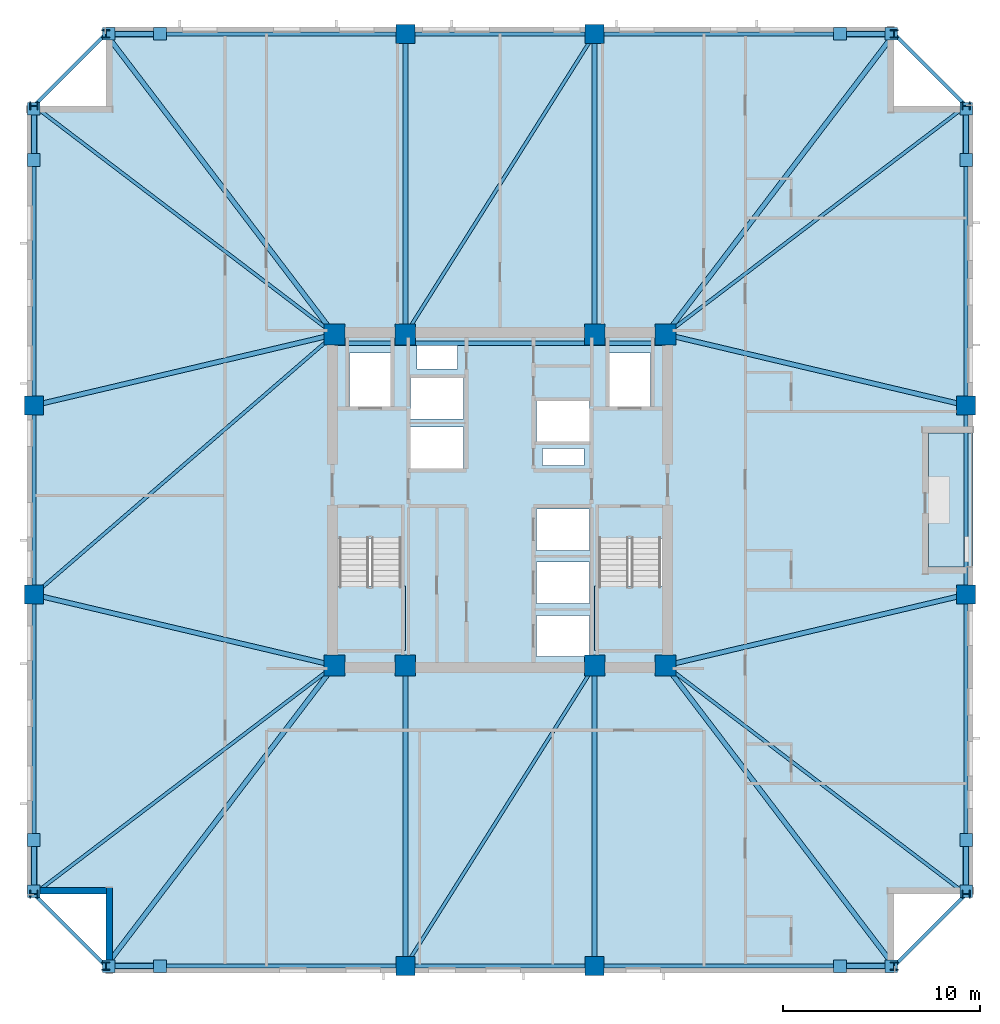
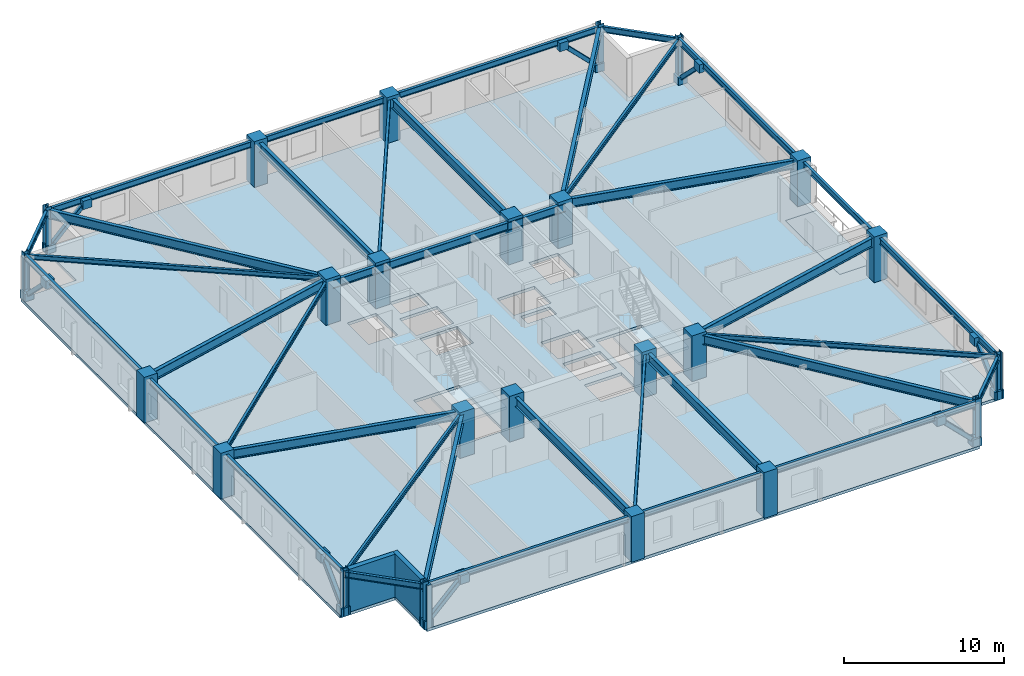
# One storey, part 1 of 10: 38 beams, 24 columns, 16 plates, 8 members, 4 slabs, 2 walls, 2 elements without a shape of their own.
"""IFC4 building model written with IfcOpenShell, lengths in metres."""

from ifc_helpers import new_model, si_unit, direction, frame, frame_2d, origin, origin_2d, place, context, subcontext, project, spatial, polyline, rectangle, hollow_rectangle, i_section, outline, extrude, material, layer, layer_set, material_profile, profile_set, type_object, element, aggregate, save


model = new_model("IFC4")

# Units and contexts
model_context = context("Model", 3, precision=1e-05, world=origin(), true_north=direction((0.0, 1.0)))
body_context = subcontext(model_context, "Body", "Model", "MODEL_VIEW")
ifc_project = project(units=[si_unit("LENGTHUNIT", "METRE"), si_unit("AREAUNIT", "SQUARE_METRE"), si_unit("VOLUMEUNIT", "CUBIC_METRE"), si_unit("PLANEANGLEUNIT", "RADIAN"), si_unit("MASSUNIT", "GRAM", prefix="KILO")], contexts=[model_context])

# Site, building, storey
site_placement = place(None, origin())
site = spatial("IfcSite", under=ifc_project, at=site_placement, CompositionType="ELEMENT")
building_placement = place(site_placement, origin())
building = spatial("IfcBuilding", under=site, at=building_placement, Name="Cairnveth Concourse Tower", CompositionType="ELEMENT")
storey_placement = place(building_placement, frame((0.0, 0.0, 186.5)))
storey = spatial("IfcBuildingStorey", under=building, at=storey_placement, Name="L51", CompositionType="ELEMENT", Elevation=186.5)

# Columns
ifc_material_1 = material(Name="Concrete N65 (65 MPa)", Category="concrete")
ifc_material_profile_1 = material_profile(ifc_material_1, rectangle(XDim=1.050048828125, YDim=1.050048828125, at=origin_2d()), Name="RC-COL-1050x1050")
ifc_profile_set_1 = profile_set([ifc_material_profile_1], Name="Concrete N65 (65 MPa)")
column_type_1 = type_object("IfcColumnType", Name="CORE COLUMN 1050X1050", PredefinedType="COLUMN", material=ifc_profile_set_1)
for number, where, z_axis, x_axis, name in (
    (1, (43.60009765625, 30.60009765625, 0.0), (0.0, 0.0, 1.0), (1.0, 0.0, 0.0), "Column CC1 L51"),
    (2, (47.199951171875, 30.60009765625, 0.0), (0.0, 0.0, 1.0), (1.0, 0.0, 0.0), "Column CC2 L51"),
    (3, (56.800048828125, 30.60009765625, 0.0), (0.0, 0.0, 1.0), (1.0, 0.0, 0.0), "Column CC3 L51"),
    (4, (60.39990234375, 30.60009765625, 0.0), (0.0, 0.0, 1.0), (1.0, 0.0, 0.0), "Column CC4 L51"),
    (5, (43.60009765625, 47.39990234375, 0.0), (0.0, 0.0, 1.0), (1.0, 0.0, 0.0), "Column CC5 L51"),
    (6, (47.199951171875, 47.39990234375, 0.0), (0.0, 0.0, 1.0), (1.0, 0.0, 0.0), "Column CC6 L51"),
    (7, (56.800048828125, 47.39990234375, 0.0), (0.0, 0.0, 1.0), (1.0, 0.0, 0.0), "Column CC7 L51"),
    (8, (60.39990234375, 47.39990234375, 0.0), (0.0, 0.0, 1.0), (1.0, 0.0, 0.0), "Column CC8 L51"),
):
    element("IfcColumn", number, at=place(storey_placement, frame(where, z_axis=z_axis, x_axis=x_axis)), inside=storey, type_object=column_type_1, Name=name, PredefinedType="COLUMN", context=body_context, shape_type="SweptSolid", body=[
        extrude(rectangle(XDim=1.050048828125, YDim=1.050048828125, at=origin_2d()), origin(), (0.0, 0.0, 1.0), 3.5),
    ])
ifc_material_profile_2 = material_profile(ifc_material_1, rectangle(XDim=0.949951171875, YDim=0.949951171875, at=origin_2d()), Name="RC-COL-950x950")
ifc_profile_set_2 = profile_set([ifc_material_profile_2], Name="Concrete N65 (65 MPa)")
column_type_2 = type_object("IfcColumnType", Name="PERIMETER PIER COLUMN 950X950", PredefinedType="COLUMN", material=ifc_profile_set_2)
for number, where, z_axis, x_axis, name in (
    (9, (47.199951171875, 15.35009765625, 0.0), (0.0, 0.0, 1.0), (1.0, 0.0, 0.0), "Column P-S2 L51"),
    (10, (56.800048828125, 15.35009765625, 0.0), (0.0, 0.0, 1.0), (1.0, 0.0, 0.0), "Column P-S3 L51"),
    (11, (75.64990234375, 34.199951171875, 0.0), (0.0, 0.0, 1.0), (0.0, 1.0, 0.0), "Column P-E2 L51"),
    (12, (75.64990234375, 43.800048828125, 0.0), (0.0, 0.0, 1.0), (0.0, 1.0, 0.0), "Column P-E3 L51"),
    (13, (56.800048828125, 62.64990234375, 0.0), (0.0, 0.0, 1.0), (1.0, 0.0, 0.0), "Column P-N2 L51"),
    (14, (47.199951171875, 62.64990234375, 0.0), (0.0, 0.0, 1.0), (1.0, 0.0, 0.0), "Column P-N3 L51"),
    (15, (28.35009765625, 43.800048828125, 0.0), (0.0, 0.0, 1.0), (0.0, 1.0, 0.0), "Column P-W2 L51"),
    (16, (28.35009765625, 34.199951171875, 0.0), (0.0, 0.0, 1.0), (0.0, 1.0, 0.0), "Column P-W3 L51"),
):
    element("IfcColumn", number, at=place(storey_placement, frame(where, z_axis=z_axis, x_axis=x_axis)), inside=storey, type_object=column_type_2, Name=name, PredefinedType="COLUMN", context=body_context, shape_type="SweptSolid", body=[
        extrude(rectangle(XDim=0.949951171875, YDim=0.949951171875, at=origin_2d()), origin(), (0.0, 0.0, 1.0), 3.5),
    ])
ifc_material_2 = material(Name="Steel Grade 350", Category="steel")
ifc_material_profile_3 = material_profile(ifc_material_2, i_section(OverallWidth=0.39990234375, OverallDepth=0.39990234375, WebThickness=0.02197265625, FlangeThickness=0.035888671875, at=origin_2d()), Name="400WC270")
ifc_profile_set_3 = profile_set([ifc_material_profile_3], Name="Steel Grade 350")
column_type_3 = type_object("IfcColumnType", Name="WELDED STEEL COLUMN 400WC270", PredefinedType="COLUMN", material=ifc_profile_set_3)
for number, where, z_axis, x_axis, name in (
    (17, (32.0, 15.35009765625, 0.0), (0.0, 0.0, 1.0), (1.0, 0.0, 0.0), "Column P-S1 L51"),
    (18, (72.0, 15.35009765625, 0.0), (0.0, 0.0, 1.0), (1.0, 0.0, 0.0), "Column P-S4 L51"),
    (19, (75.64990234375, 19.0, 0.0), (0.0, 0.0, 1.0), (0.0, 1.0, 0.0), "Column P-E1 L51"),
    (20, (75.64990234375, 59.0, 0.0), (0.0, 0.0, 1.0), (0.0, 1.0, 0.0), "Column P-E4 L51"),
    (21, (72.0, 62.64990234375, 0.0), (0.0, 0.0, 1.0), (1.0, 0.0, 0.0), "Column P-N1 L51"),
    (22, (32.0, 62.64990234375, 0.0), (0.0, 0.0, 1.0), (1.0, 0.0, 0.0), "Column P-N4 L51"),
    (23, (28.35009765625, 59.0, 0.0), (0.0, 0.0, 1.0), (0.0, 1.0, 0.0), "Column P-W1 L51"),
    (24, (28.35009765625, 19.0, 0.0), (0.0, 0.0, 1.0), (0.0, 1.0, 0.0), "Column P-W4 L51"),
):
    element("IfcColumn", number, at=place(storey_placement, frame(where, z_axis=z_axis, x_axis=x_axis)), inside=storey, type_object=column_type_3, Name=name, PredefinedType="COLUMN", context=body_context, shape_type="SweptSolid", body=[
        extrude(i_section(OverallWidth=0.39990234375, OverallDepth=0.39990234375, WebThickness=0.02197265625, FlangeThickness=0.035888671875, at=origin_2d()), origin(), (0.0, 0.0, 1.0), 3.5),
    ])

# Beams
ifc_material_profile_4 = material_profile(ifc_material_2, i_section(OverallWidth=0.22802734375, OverallDepth=0.60693359375, WebThickness=0.01123046875, FlangeThickness=0.017333984375, FilletRadius=0.013916015625, at=origin_2d()), Name="610UB113")
ifc_profile_set_4 = profile_set([ifc_material_profile_4], Name="Steel Grade 350")
beam_type_1 = type_object("IfcBeamType", Name="CORE TIE BEAM 610UB113", PredefinedType="T_BEAM", material=ifc_profile_set_4)
for number, where, z_axis, x_axis, name in (
    (25, (43.60009765625, 46.949951171875, 2.9765625), (1.0, 0.0, 0.0), (0.0, 1.0, 0.0), "Beam CT-N1 L51"),
    (26, (56.800048828125, 46.949951171875, 2.9765625), (1.0, 0.0, 0.0), (0.0, 1.0, 0.0), "Beam CT-N3 L51"),
):
    element("IfcBeam", number, at=place(storey_placement, frame(where, z_axis=z_axis, x_axis=x_axis)), inside=storey, type_object=beam_type_1, Name=name, PredefinedType="T_BEAM", context=body_context, shape_type="SweptSolid", body=[
        extrude(i_section(OverallWidth=0.22802734375, OverallDepth=0.60693359375, WebThickness=0.01123046875, FlangeThickness=0.017333984375, FilletRadius=0.013916015625, at=origin_2d()), origin(), (0.0, 0.0, 1.0), 3.599853515625),
    ])
beam_1_placement = place(storey_placement, frame((47.199951171875, 46.949951171875, 2.9765625), z_axis=(1.0, 0.0, 0.0), x_axis=(0.0, 1.0, 0.0)))
element("IfcBeam", 27, at=beam_1_placement, inside=storey, type_object=beam_type_1, Name="Beam CT-N2 L51", PredefinedType="T_BEAM", context=body_context, shape_type="SweptSolid", body=[
    extrude(i_section(OverallWidth=0.22802734375, OverallDepth=0.60693359375, WebThickness=0.01123046875, FlangeThickness=0.017333984375, FilletRadius=0.013916015625, at=origin_2d()), origin(), (0.0, 0.0, 1.0), 9.60009765625),
])
ifc_material_profile_5 = material_profile(ifc_material_2, i_section(OverallWidth=0.172119140625, OverallDepth=0.35888671875, WebThickness=0.008056640625, FlangeThickness=0.012939453125, FilletRadius=0.010986328125, at=origin_2d()), Name="360UB56.7")
ifc_profile_set_5 = profile_set([ifc_material_profile_5], Name="Steel Grade 350")
beam_type_2 = type_object("IfcBeamType", Name="ZONE 2 FLOOR JOIST 360UB56.7", PredefinedType="JOIST", material=ifc_profile_set_5)
for number, where, z_axis, x_axis, name in (
    (28, (28.35009765625, 19.0, 3.1005859375), (0.795908242904, 0.6054172684, 0.0), (-0.6054172684, 0.795908242904, 0.0), "Beam FJ-CSW2 L51"),
    (29, (75.64990234375, 19.0, 3.1005859375), (-0.795908242904, 0.6054172684, 0.0), (-0.6054172684, -0.795908242904, 0.0), "Beam FJ-CSE2 L51"),
    (30, (75.64990234375, 59.0, 3.1005859375), (-0.795908242904, -0.6054172684, 0.0), (0.6054172684, -0.795908242904, 0.0), "Beam FJ-CNE2 L51"),
    (31, (28.35009765625, 59.0, 3.1005859375), (0.795908242904, -0.6054172684, 0.0), (0.6054172684, 0.795908242904, 0.0), "Beam FJ-CNW2 L51"),
):
    element("IfcBeam", number, at=place(storey_placement, frame(where, z_axis=z_axis, x_axis=x_axis)), inside=storey, type_object=beam_type_2, Name=name, PredefinedType="JOIST", context=body_context, shape_type="SweptSolid", body=[
        extrude(i_section(OverallWidth=0.172119140625, OverallDepth=0.35888671875, WebThickness=0.008056640625, FlangeThickness=0.012939453125, FilletRadius=0.010986328125, at=origin_2d()), origin(), (0.0, 0.0, 1.0), 19.160400390625),
    ])
for number, where, z_axis, x_axis, name in (
    (32, (47.199951171875, 15.35009765625, 3.1005859375), (0.532743557037, 0.84627672923, 0.0), (-0.84627672923, 0.532743557037, 0.0), "Beam FJ-S-M1 L51"),
    (33, (47.199951171875, 47.39990234375, 3.1005859375), (0.532743557037, 0.84627672923, 0.0), (-0.84627672923, 0.532743557037, 0.0), "Beam FJ-N-M1 L51"),
):
    element("IfcBeam", number, at=place(storey_placement, frame(where, z_axis=z_axis, x_axis=x_axis)), inside=storey, type_object=beam_type_2, Name=name, PredefinedType="JOIST", context=body_context, shape_type="SweptSolid", body=[
        extrude(i_section(OverallWidth=0.172119140625, OverallDepth=0.35888671875, WebThickness=0.008056640625, FlangeThickness=0.012939453125, FilletRadius=0.010986328125, at=origin_2d()), origin(), (0.0, 0.0, 1.0), 18.02001953125),
    ])
beam_2_placement = place(storey_placement, frame((28.35009765625, 34.199951171875, 3.1005859375), z_axis=(0.756099107057, 0.654457134049, 0.0), x_axis=(-0.654457134049, 0.756099107057, 0.0)))
element("IfcBeam", 34, at=beam_2_placement, inside=storey, type_object=beam_type_2, Name="Beam FJ-W-M1 L51", PredefinedType="JOIST", context=body_context, shape_type="SweptSolid", body=[
    extrude(i_section(OverallWidth=0.172119140625, OverallDepth=0.35888671875, WebThickness=0.008056640625, FlangeThickness=0.012939453125, FilletRadius=0.010986328125, at=origin_2d()), origin(), (0.0, 0.0, 1.0), 20.16943359375),
])

# Members
ifc_material_3 = material(Name="Steel C350L0 (350 MPa)", Category="steel")
ifc_material_profile_6 = material_profile(ifc_material_3, hollow_rectangle(XDim=0.300048828125, YDim=0.300048828125, WallThickness=0.01611328125, InnerFilletRadius=0.01611328125, OuterFilletRadius=0.031982421875, at=origin_2d()), Name="300x300x16.0SHS")
ifc_profile_set_6 = profile_set([ifc_material_profile_6], Name="Steel C350L0 (350 MPa)")
member_type = type_object("IfcMemberType", Name="ZONE 2 PIER BRACE 300X300X16SHS", PredefinedType="BRACE", material=ifc_profile_set_6)
for number, where, z_axis, x_axis, name in (
    (35, (32.14990234375, 15.35009765625, 0.25), (0.709834195787, 0.0, 0.704368805735), (0.0, 1.0, 0.0), "Structural Brace PB-S1 L51"),
    (36, (71.85009765625, 15.35009765625, 0.25), (-0.709834195787, 0.0, 0.704368805735), (0.0, -1.0, 0.0), "Structural Brace PB-S2 L51"),
    (37, (32.14990234375, 62.64990234375, 0.25), (0.709834195787, 0.0, 0.704368805735), (0.0, 1.0, 0.0), "Structural Brace PB-N1 L51"),
    (38, (71.85009765625, 62.64990234375, 0.25), (-0.709834195787, 0.0, 0.704368805735), (0.0, -1.0, 0.0), "Structural Brace PB-N2 L51"),
    (39, (28.35009765625, 19.14990234375, 0.25), (0.0, 0.709834195787, 0.704368805735), (-1.0, 0.0, 0.0), "Structural Brace PB-W1 L51"),
    (40, (28.35009765625, 58.85009765625, 0.25), (0.0, -0.709834195787, 0.704368805735), (1.0, 0.0, 0.0), "Structural Brace PB-W2 L51"),
    (41, (75.64990234375, 19.14990234375, 0.25), (0.0, 0.709834195787, 0.704368805735), (-1.0, 0.0, 0.0), "Structural Brace PB-E1 L51"),
    (42, (75.64990234375, 58.85009765625, 0.25), (0.0, -0.709834195787, 0.704368805735), (1.0, 0.0, 0.0), "Structural Brace PB-E2 L51"),
):
    element("IfcMember", number, at=place(storey_placement, frame(where, z_axis=z_axis, x_axis=x_axis)), inside=storey, type_object=member_type, Name=name, PredefinedType="BRACE", context=body_context, shape_type="SweptSolid", body=[
        extrude(hollow_rectangle(XDim=0.300048828125, YDim=0.300048828125, WallThickness=0.01611328125, InnerFilletRadius=0.01611328125, OuterFilletRadius=0.031982421875, at=origin_2d()), origin(), (0.0, 0.0, 1.0), 3.6630859375),
    ])

# Beams
ifc_material_profile_7 = material_profile(ifc_material_2, i_section(OverallWidth=0.25, OverallDepth=0.699951171875, WebThickness=0.011962890625, FlangeThickness=0.028076171875, at=origin_2d()), Name="700WB173")
ifc_profile_set_7 = profile_set([ifc_material_profile_7], Name="Steel Grade 350")
beam_type_3 = type_object("IfcBeamType", Name="ZONE 2 RADIAL GIRDER 700WB173", PredefinedType="BEAM", material=ifc_profile_set_7)
for number, where, z_axis, x_axis, name in (
    (43, (47.199951171875, 15.35009765625, 2.929931640625), (0.0, 1.0, 0.0), (-1.0, 0.0, 0.0), "Beam RG-S1 L51"),
    (44, (56.800048828125, 15.35009765625, 2.929931640625), (0.0, 1.0, 0.0), (-1.0, 0.0, 0.0), "Beam RG-S2 L51"),
    (45, (47.199951171875, 47.39990234375, 2.929931640625), (0.0, 1.0, 0.0), (-1.0, 0.0, 0.0), "Beam RG-N1 L51"),
    (46, (56.800048828125, 47.39990234375, 2.929931640625), (0.0, 1.0, 0.0), (-1.0, 0.0, 0.0), "Beam RG-N2 L51"),
):
    element("IfcBeam", number, at=place(storey_placement, frame(where, z_axis=z_axis, x_axis=x_axis)), inside=storey, type_object=beam_type_3, Name=name, PredefinedType="BEAM", context=body_context, shape_type="SweptSolid", body=[
        extrude(i_section(OverallWidth=0.25, OverallDepth=0.699951171875, WebThickness=0.011962890625, FlangeThickness=0.028076171875, at=origin_2d()), origin(), (0.0, 0.0, 1.0), 15.25),
    ])
for number, where, z_axis, x_axis, name in (
    (47, (28.35009765625, 34.199951171875, 2.929931640625), (0.973251602929, -0.229741849468, 0.0), (0.229741849468, 0.973251602929, 0.0), "Beam RG-W1 L51"),
    (48, (28.35009765625, 43.800048828125, 2.929931640625), (0.973251602929, 0.229741849468, 0.0), (-0.229741849468, 0.973251602929, 0.0), "Beam RG-W2 L51"),
    (49, (60.39990234375, 30.60009765625, 2.929931640625), (0.973251602929, 0.229741849468, 0.0), (-0.229741849468, 0.973251602929, 0.0), "Beam RG-E1 L51"),
    (50, (60.39990234375, 47.39990234375, 2.929931640625), (0.973251602929, -0.229741849468, 0.0), (0.229741849468, 0.973251602929, 0.0), "Beam RG-E2 L51"),
):
    element("IfcBeam", number, at=place(storey_placement, frame(where, z_axis=z_axis, x_axis=x_axis)), inside=storey, type_object=beam_type_3, Name=name, PredefinedType="BEAM", context=body_context, shape_type="SweptSolid", body=[
        extrude(i_section(OverallWidth=0.25, OverallDepth=0.699951171875, WebThickness=0.011962890625, FlangeThickness=0.028076171875, at=origin_2d()), origin(), (0.0, 0.0, 1.0), 15.669189453125),
    ])
for number, where, z_axis, x_axis, name in (
    (51, (32.0, 15.35009765625, 2.929931640625), (0.6054172684, 0.795908242904, 0.0), (-0.795908242904, 0.6054172684, 0.0), "Beam RG-CSW L51"),
    (52, (72.0, 15.35009765625, 2.929931640625), (-0.6054172684, 0.795908242904, 0.0), (-0.795908242904, -0.6054172684, 0.0), "Beam RG-CSE L51"),
    (53, (72.0, 62.64990234375, 2.929931640625), (-0.6054172684, -0.795908242904, 0.0), (0.795908242904, -0.6054172684, 0.0), "Beam RG-CNE L51"),
    (54, (32.0, 62.64990234375, 2.929931640625), (0.6054172684, -0.795908242904, 0.0), (0.795908242904, 0.6054172684, 0.0), "Beam RG-CNW L51"),
):
    element("IfcBeam", number, at=place(storey_placement, frame(where, z_axis=z_axis, x_axis=x_axis)), inside=storey, type_object=beam_type_3, Name=name, PredefinedType="BEAM", context=body_context, shape_type="SweptSolid", body=[
        extrude(i_section(OverallWidth=0.25, OverallDepth=0.699951171875, WebThickness=0.011962890625, FlangeThickness=0.028076171875, at=origin_2d()), origin(), (0.0, 0.0, 1.0), 19.160400390625),
    ])
ifc_material_profile_8 = material_profile(ifc_material_2, i_section(OverallWidth=0.18994140625, OverallDepth=0.45703125, WebThickness=0.009033203125, FlangeThickness=0.014404296875, FilletRadius=0.010986328125, at=origin_2d()), Name="460UB74.6")
ifc_profile_set_8 = profile_set([ifc_material_profile_8], Name="Steel Grade 350")
beam_type_4 = type_object("IfcBeamType", Name="ZONE 2 SPANDREL BEAM 460UB74.6", PredefinedType="SPANDREL", material=ifc_profile_set_8)
beam_3_placement = place(storey_placement, frame((32.0, 15.35009765625, 3.051513671875), z_axis=(1.0, 0.0, 0.0), x_axis=(0.0, 1.0, 0.0)))
element("IfcBeam", 55, at=beam_3_placement, inside=storey, type_object=beam_type_4, Name="Beam SP-S1 L51", PredefinedType="SPANDREL", context=body_context, shape_type="SweptSolid", body=[
    extrude(i_section(OverallWidth=0.18994140625, OverallDepth=0.45703125, WebThickness=0.009033203125, FlangeThickness=0.014404296875, FilletRadius=0.010986328125, at=origin_2d()), origin(), (0.0, 0.0, 1.0), 15.199951171875),
])
beam_4_placement = place(storey_placement, frame((47.199951171875, 15.35009765625, 3.051513671875), z_axis=(1.0, 0.0, 0.0), x_axis=(0.0, 1.0, 0.0)))
element("IfcBeam", 56, at=beam_4_placement, inside=storey, type_object=beam_type_4, Name="Beam SP-S2 L51", PredefinedType="SPANDREL", context=body_context, shape_type="SweptSolid", body=[
    extrude(i_section(OverallWidth=0.18994140625, OverallDepth=0.45703125, WebThickness=0.009033203125, FlangeThickness=0.014404296875, FilletRadius=0.010986328125, at=origin_2d()), origin(), (0.0, 0.0, 1.0), 9.60009765625),
])
for number, where, z_axis, x_axis, name in (
    (57, (56.800048828125, 15.35009765625, 3.051513671875), (1.0, 0.0, 0.0), (0.0, 1.0, 0.0), "Beam SP-S3 L51"),
    (58, (32.0, 62.64990234375, 3.051513671875), (1.0, 0.0, 0.0), (0.0, 1.0, 0.0), "Beam SP-N1 L51"),
):
    element("IfcBeam", number, at=place(storey_placement, frame(where, z_axis=z_axis, x_axis=x_axis)), inside=storey, type_object=beam_type_4, Name=name, PredefinedType="SPANDREL", context=body_context, shape_type="SweptSolid", body=[
        extrude(i_section(OverallWidth=0.18994140625, OverallDepth=0.45703125, WebThickness=0.009033203125, FlangeThickness=0.014404296875, FilletRadius=0.010986328125, at=origin_2d()), origin(), (0.0, 0.0, 1.0), 15.199951171875),
    ])
beam_5_placement = place(storey_placement, frame((47.199951171875, 62.64990234375, 3.051513671875), z_axis=(1.0, 0.0, 0.0), x_axis=(0.0, 1.0, 0.0)))
element("IfcBeam", 59, at=beam_5_placement, inside=storey, type_object=beam_type_4, Name="Beam SP-N2 L51", PredefinedType="SPANDREL", context=body_context, shape_type="SweptSolid", body=[
    extrude(i_section(OverallWidth=0.18994140625, OverallDepth=0.45703125, WebThickness=0.009033203125, FlangeThickness=0.014404296875, FilletRadius=0.010986328125, at=origin_2d()), origin(), (0.0, 0.0, 1.0), 9.60009765625),
])
for number, where, z_axis, x_axis, name in (
    (60, (56.800048828125, 62.64990234375, 3.051513671875), (1.0, 0.0, 0.0), (0.0, 1.0, 0.0), "Beam SP-N3 L51"),
    (61, (28.35009765625, 19.0, 3.051513671875), (0.0, 1.0, 0.0), (-1.0, 0.0, 0.0), "Beam SP-W1 L51"),
):
    element("IfcBeam", number, at=place(storey_placement, frame(where, z_axis=z_axis, x_axis=x_axis)), inside=storey, type_object=beam_type_4, Name=name, PredefinedType="SPANDREL", context=body_context, shape_type="SweptSolid", body=[
        extrude(i_section(OverallWidth=0.18994140625, OverallDepth=0.45703125, WebThickness=0.009033203125, FlangeThickness=0.014404296875, FilletRadius=0.010986328125, at=origin_2d()), origin(), (0.0, 0.0, 1.0), 15.199951171875),
    ])
beam_6_placement = place(storey_placement, frame((28.35009765625, 34.199951171875, 3.051513671875), z_axis=(0.0, 1.0, 0.0), x_axis=(-1.0, 0.0, 0.0)))
element("IfcBeam", 62, at=beam_6_placement, inside=storey, type_object=beam_type_4, Name="Beam SP-W2 L51", PredefinedType="SPANDREL", context=body_context, shape_type="SweptSolid", body=[
    extrude(i_section(OverallWidth=0.18994140625, OverallDepth=0.45703125, WebThickness=0.009033203125, FlangeThickness=0.014404296875, FilletRadius=0.010986328125, at=origin_2d()), origin(), (0.0, 0.0, 1.0), 9.60009765625),
])
for number, where, z_axis, x_axis, name in (
    (63, (28.35009765625, 43.800048828125, 3.051513671875), (0.0, 1.0, 0.0), (-1.0, 0.0, 0.0), "Beam SP-W3 L51"),
    (64, (75.64990234375, 19.0, 3.051513671875), (0.0, 1.0, 0.0), (-1.0, 0.0, 0.0), "Beam SP-E1 L51"),
):
    element("IfcBeam", number, at=place(storey_placement, frame(where, z_axis=z_axis, x_axis=x_axis)), inside=storey, type_object=beam_type_4, Name=name, PredefinedType="SPANDREL", context=body_context, shape_type="SweptSolid", body=[
        extrude(i_section(OverallWidth=0.18994140625, OverallDepth=0.45703125, WebThickness=0.009033203125, FlangeThickness=0.014404296875, FilletRadius=0.010986328125, at=origin_2d()), origin(), (0.0, 0.0, 1.0), 15.199951171875),
    ])
beam_7_placement = place(storey_placement, frame((75.64990234375, 34.199951171875, 3.051513671875), z_axis=(0.0, 1.0, 0.0), x_axis=(-1.0, 0.0, 0.0)))
element("IfcBeam", 65, at=beam_7_placement, inside=storey, type_object=beam_type_4, Name="Beam SP-E2 L51", PredefinedType="SPANDREL", context=body_context, shape_type="SweptSolid", body=[
    extrude(i_section(OverallWidth=0.18994140625, OverallDepth=0.45703125, WebThickness=0.009033203125, FlangeThickness=0.014404296875, FilletRadius=0.010986328125, at=origin_2d()), origin(), (0.0, 0.0, 1.0), 9.60009765625),
])
beam_8_placement = place(storey_placement, frame((75.64990234375, 43.800048828125, 3.051513671875), z_axis=(0.0, 1.0, 0.0), x_axis=(-1.0, 0.0, 0.0)))
element("IfcBeam", 66, at=beam_8_placement, inside=storey, type_object=beam_type_4, Name="Beam SP-E3 L51", PredefinedType="SPANDREL", context=body_context, shape_type="SweptSolid", body=[
    extrude(i_section(OverallWidth=0.18994140625, OverallDepth=0.45703125, WebThickness=0.009033203125, FlangeThickness=0.014404296875, FilletRadius=0.010986328125, at=origin_2d()), origin(), (0.0, 0.0, 1.0), 15.199951171875),
])
for number, where, z_axis, x_axis, name in (
    (67, (28.35009765625, 19.0, 3.051513671875), (0.707106781187, -0.707106781187, 0.0), (0.707106781187, 0.707106781187, 0.0), "Beam SP-SW L51"),
    (68, (72.0, 15.35009765625, 3.051513671875), (0.707106781187, 0.707106781187, 0.0), (-0.707106781187, 0.707106781187, 0.0), "Beam SP-SE L51"),
    (69, (72.0, 62.64990234375, 3.051513671875), (0.707106781187, -0.707106781187, 0.0), (0.707106781187, 0.707106781187, 0.0), "Beam SP-NE L51"),
    (70, (28.35009765625, 59.0, 3.051513671875), (0.707106781187, 0.707106781187, 0.0), (-0.707106781187, 0.707106781187, 0.0), "Beam SP-NW L51"),
):
    element("IfcBeam", number, at=place(storey_placement, frame(where, z_axis=z_axis, x_axis=x_axis)), inside=storey, type_object=beam_type_4, Name=name, PredefinedType="SPANDREL", context=body_context, shape_type="SweptSolid", body=[
        extrude(i_section(OverallWidth=0.18994140625, OverallDepth=0.45703125, WebThickness=0.009033203125, FlangeThickness=0.014404296875, FilletRadius=0.010986328125, at=origin_2d()), origin(), (0.0, 0.0, 1.0), 5.16162109375),
    ])

# Slab
ifc_material_4 = material(Name="Concrete N50 (50 MPa)", Category="concrete")
ifc_layer_1 = layer(ifc_material_4, 0.219970703125)
ifc_layer_set_1 = layer_set([ifc_layer_1], Name="Concrete N50 (50 MPa)")
slab_type_1 = type_object("IfcSlabType", Name="LOWER TOWER COMPOSITE SLAB 220", PredefinedType="FLOOR", material=ifc_layer_set_1)
slab_1_placement = place(storey_placement, frame((0.0, 0.0, -0.219970703125)))
element("IfcSlab", 71, at=slab_1_placement, inside=storey, type_object=slab_type_1, Name="Tower Floor Slab L51", PredefinedType="FLOOR", context=body_context, shape_type="SweptSolid", body=[
    extrude(outline(polyline([(76.0, 35.60009765625), (73.75, 35.60009765625), (73.75, 42.39990234375), (76.0, 42.39990234375), (76.0, 59.0), (72.0, 59.0), (72.0, 63.0), (32.0, 63.0), (32.0, 59.0), (28.0, 59.0), (28.0, 19.0), (32.0, 19.0), (32.0, 15.0), (72.0, 15.0), (72.0, 19.0), (76.0, 19.0), (76.0, 35.60009765625)]), holes=[polyline([(43.760009765625, 31.360107421875), (47.06005859375, 31.360107421875), (47.06005859375, 37.0400390625), (43.760009765625, 37.0400390625), (43.760009765625, 31.360107421875)]), polyline([(56.93994140625, 31.360107421875), (60.239990234375, 31.360107421875), (60.239990234375, 37.0400390625), (56.93994140625, 37.0400390625), (56.93994140625, 31.360107421875)]), polyline([(44.3701171875, 43.75), (46.469970703125, 43.75), (46.469970703125, 46.449951171875), (44.3701171875, 46.449951171875), (44.3701171875, 43.75)]), polyline([(57.530029296875, 43.75), (59.6298828125, 43.75), (59.6298828125, 46.449951171875), (57.530029296875, 46.449951171875), (57.530029296875, 43.75)]), polyline([(53.85009765625, 31.050048828125), (56.550048828125, 31.050048828125), (56.550048828125, 33.14990234375), (53.85009765625, 33.14990234375), (53.85009765625, 31.050048828125)]), polyline([(53.85009765625, 33.75), (56.550048828125, 33.75), (56.550048828125, 35.85009765625), (53.85009765625, 35.85009765625), (53.85009765625, 33.75)]), polyline([(53.85009765625, 36.449951171875), (56.550048828125, 36.449951171875), (56.550048828125, 38.550048828125), (53.85009765625, 38.550048828125), (53.85009765625, 36.449951171875)]), polyline([(47.449951171875, 40.60009765625), (50.14990234375, 40.60009765625), (50.14990234375, 42.699951171875), (47.449951171875, 42.699951171875), (47.449951171875, 40.60009765625)]), polyline([(47.449951171875, 43.10009765625), (50.14990234375, 43.10009765625), (50.14990234375, 45.199951171875), (47.449951171875, 45.199951171875), (47.449951171875, 43.10009765625)]), polyline([(53.85009765625, 41.949951171875), (56.550048828125, 41.949951171875), (56.550048828125, 44.050048828125), (53.85009765625, 44.050048828125), (53.85009765625, 41.949951171875)]), polyline([(47.800048828125, 45.64990234375), (49.85009765625, 45.64990234375), (49.85009765625, 47.050048828125), (47.800048828125, 47.050048828125), (47.800048828125, 45.64990234375)]), polyline([(54.14990234375, 40.75), (56.25, 40.75), (56.25, 41.6201171875), (54.14990234375, 41.6201171875), (54.14990234375, 40.75)])]), origin(), (0.0, 0.0, 1.0), 0.219970703125),
])

# Plates
ifc_layer_2 = layer(ifc_material_2, 0.031982421875)
ifc_layer_set_2 = layer_set([ifc_layer_2], Name="Steel Grade 350")
plate_type = type_object("IfcPlateType", Name="PERIMETER BRACE GUSSET PLATE 32", PredefinedType="USERDEFINED", material=ifc_layer_set_2)
for number, where, z_axis, x_axis, name in (
    (72, (32.14990234375, 15.35009765625, -0.06982421875), (0.0, 0.0, 1.0), (1.0, 0.0, 0.0), "Structural Node Plate 0849 L51"),
    (73, (34.75, 15.35009765625, 2.51025390625), (0.0, 0.0, 1.0), (1.0, 0.0, 0.0), "Structural Node Plate 0850 L51"),
    (74, (71.85009765625, 15.35009765625, -0.06982421875), (0.0, 0.0, 1.0), (1.0, 0.0, 0.0), "Structural Node Plate 0851 L51"),
    (75, (69.25, 15.35009765625, 2.51025390625), (0.0, 0.0, 1.0), (1.0, 0.0, 0.0), "Structural Node Plate 0852 L51"),
    (76, (32.14990234375, 62.64990234375, -0.06982421875), (0.0, 0.0, 1.0), (1.0, 0.0, 0.0), "Structural Node Plate 0853 L51"),
    (77, (34.75, 62.64990234375, 2.51025390625), (0.0, 0.0, 1.0), (1.0, 0.0, 0.0), "Structural Node Plate 0854 L51"),
    (78, (71.85009765625, 62.64990234375, -0.06982421875), (0.0, 0.0, 1.0), (1.0, 0.0, 0.0), "Structural Node Plate 0855 L51"),
    (79, (69.25, 62.64990234375, 2.51025390625), (0.0, 0.0, 1.0), (1.0, 0.0, 0.0), "Structural Node Plate 0856 L51"),
    (80, (28.35009765625, 19.14990234375, -0.06982421875), (0.0, 0.0, 1.0), (1.0, 0.0, 0.0), "Structural Node Plate 0857 L51"),
    (81, (28.35009765625, 21.75, 2.51025390625), (0.0, 0.0, 1.0), (1.0, 0.0, 0.0), "Structural Node Plate 0858 L51"),
    (82, (28.35009765625, 58.85009765625, -0.06982421875), (0.0, 0.0, 1.0), (1.0, 0.0, 0.0), "Structural Node Plate 0859 L51"),
    (83, (28.35009765625, 56.25, 2.51025390625), (0.0, 0.0, 1.0), (1.0, 0.0, 0.0), "Structural Node Plate 0860 L51"),
    (84, (75.64990234375, 19.14990234375, -0.06982421875), (0.0, 0.0, 1.0), (1.0, 0.0, 0.0), "Structural Node Plate 0861 L51"),
    (85, (75.64990234375, 21.75, 2.51025390625), (0.0, 0.0, 1.0), (1.0, 0.0, 0.0), "Structural Node Plate 0862 L51"),
    (86, (75.64990234375, 58.85009765625, -0.06982421875), (0.0, 0.0, 1.0), (1.0, 0.0, 0.0), "Structural Node Plate 0863 L51"),
    (87, (75.64990234375, 56.25, 2.51025390625), (0.0, 0.0, 1.0), (1.0, 0.0, 0.0), "Structural Node Plate 0864 L51"),
):
    element("IfcPlate", number, at=place(storey_placement, frame(where, z_axis=z_axis, x_axis=x_axis)), inside=storey, type_object=plate_type, Name=name, ObjectType="GUSSET PLATE", PredefinedType="USERDEFINED", context=body_context, shape_type="SweptSolid", body=[
        extrude(rectangle(XDim=0.639892578125, YDim=0.639892578125, at=origin_2d()), origin(), (0.0, 0.0, 1.0), 0.639892578125),
    ])

# Slab
ifc_layer_3 = layer(ifc_material_4, 0.18994140625)
ifc_layer_set_3 = layer_set([ifc_layer_3], Name="Concrete N50 (50 MPa)")
slab_type_2 = type_object("IfcSlabType", Name="SPIRAL OUTDOOR TERRACE SLAB 190", PredefinedType="FLOOR", material=ifc_layer_set_3)
slab_2_placement = place(storey_placement, frame((0.0, 0.0, -0.18994140625)))
element("IfcSlab", 88, at=slab_2_placement, inside=storey, type_object=slab_type_2, Name="Spiral Terrace Slab L51", PredefinedType="FLOOR", context=body_context, shape_type="SweptSolid", body=[
    extrude(outline(polyline([(73.75, 35.60009765625), (76.0, 35.60009765625), (76.0, 42.39990234375), (73.75, 42.39990234375), (73.75, 35.60009765625)])), origin(), (0.0, 0.0, 1.0), 0.18994140625),
])

# Stair, slab
ifc_material_5 = material(Name="Precast concrete N50 (50 MPa)", Category="concrete")
stair_type = type_object("IfcStairType", Name="CORE DOG-LEG FIRE STAIR 1500", PredefinedType="HALF_TURN_STAIR", material=ifc_material_5)
stair_1_placement = place(storey_placement, origin())
stair_1 = element("IfcStair", 89, at=stair_1_placement, inside=storey, type_object=stair_type, Name="L51 Fire-Isolated Stair ST-1", PredefinedType="HALF_TURN_STAIR")
ifc_layer_4 = layer(ifc_material_4, 0.199951171875)
ifc_layer_set_4 = layer_set([ifc_layer_4], Name="Concrete N50 (50 MPa)")
slab_type_3 = type_object("IfcSlabType", Name="STAIR HALF LANDING SLAB 200", PredefinedType="LANDING", material=ifc_layer_set_4)
slab_3_placement = place(storey_placement, frame((0.0, 0.0, 1.550048828125)))
slab_3 = element("IfcSlab", 90, at=slab_3_placement, type_object=slab_type_3, Name="ST-1 landing 1", PredefinedType="LANDING", context=body_context, shape_type="SweptSolid", body=[
    extrude(outline(polyline([(43.6201171875, 34.639892578125), (43.6201171875, 31.3701171875), (47.199951171875, 31.3701171875), (47.199951171875, 34.639892578125), (43.6201171875, 34.639892578125)])), origin(), (0.0, 0.0, 1.0), 0.199951171875),
])
aggregate(stair_1, [slab_3])

stair_2_placement = place(storey_placement, origin())
stair_2 = element("IfcStair", 91, at=stair_2_placement, inside=storey, type_object=stair_type, Name="L51 Fire-Isolated Stair ST-2", PredefinedType="HALF_TURN_STAIR")
slab_4_placement = place(storey_placement, frame((0.0, 0.0, 1.550048828125)))
slab_4 = element("IfcSlab", 92, at=slab_4_placement, type_object=slab_type_3, Name="ST-2 landing 1", PredefinedType="LANDING", context=body_context, shape_type="SweptSolid", body=[
    extrude(outline(polyline([(56.800048828125, 34.639892578125), (56.800048828125, 31.3701171875), (60.3798828125, 31.3701171875), (60.3798828125, 34.639892578125), (56.800048828125, 34.639892578125)])), origin(), (0.0, 0.0, 1.0), 0.199951171875),
])
aggregate(stair_2, [slab_4])

# Walls
ifc_material_6 = material(Name="Hawthorn Red-Ochre Fired Clay Brick Masonry", Category="masonry")
ifc_layer_5 = layer(ifc_material_6, 0.340087890625)
ifc_layer_set_5 = layer_set([ifc_layer_5], Name="Hawthorn Red-Ochre Fired Clay Brick Masonry")
wall_type = type_object("IfcWallType", Name="ZONE 2 BRICK PIER SPANDREL WALL 340", PredefinedType="SOLIDWALL", material=ifc_layer_set_5)
wall_1_placement = place(storey_placement, frame((32.169921875, 15.0, 0.0), z_axis=(0.0, 0.0, 1.0), x_axis=(0.0, 1.0, 0.0)))
element("IfcWall", 93, at=wall_1_placement, inside=storey, type_object=wall_type, Name="Exterior Wall EW-L51-S04", PredefinedType="SOLIDWALL", context=body_context, shape_type="SweptSolid", body=[
    extrude(rectangle(XDim=4.340087890625, YDim=0.340087890625, at=frame_2d((2.169921875, 0.0))), origin(), (0.0, 0.0, 1.0), 3.280029296875),
])
wall_2_placement = place(storey_placement, frame((32.02197265625, 19.169921875, 0.0), z_axis=(0.0, 0.0, 1.0), x_axis=(-1.0, 0.0, 0.0)))
element("IfcWall", 94, at=wall_2_placement, inside=storey, type_object=wall_type, Name="Exterior Wall EW-L51-S05", PredefinedType="SOLIDWALL", context=body_context, shape_type="SweptSolid", body=[
    extrude(rectangle(XDim=3.703857421875, YDim=0.340087890625, at=frame_2d((1.85205078125, 0.0))), origin(), (0.0, 0.0, 1.0), 3.280029296875),
])

save(model, "model.ifc")
